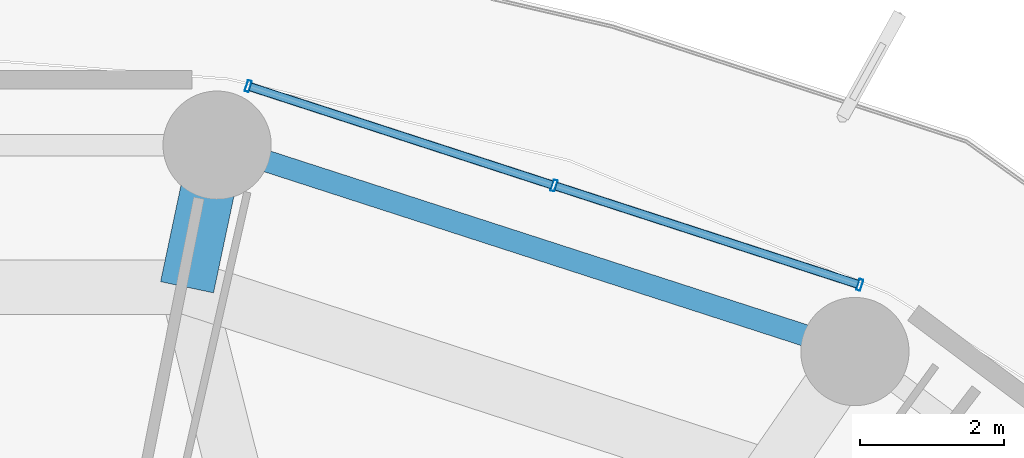
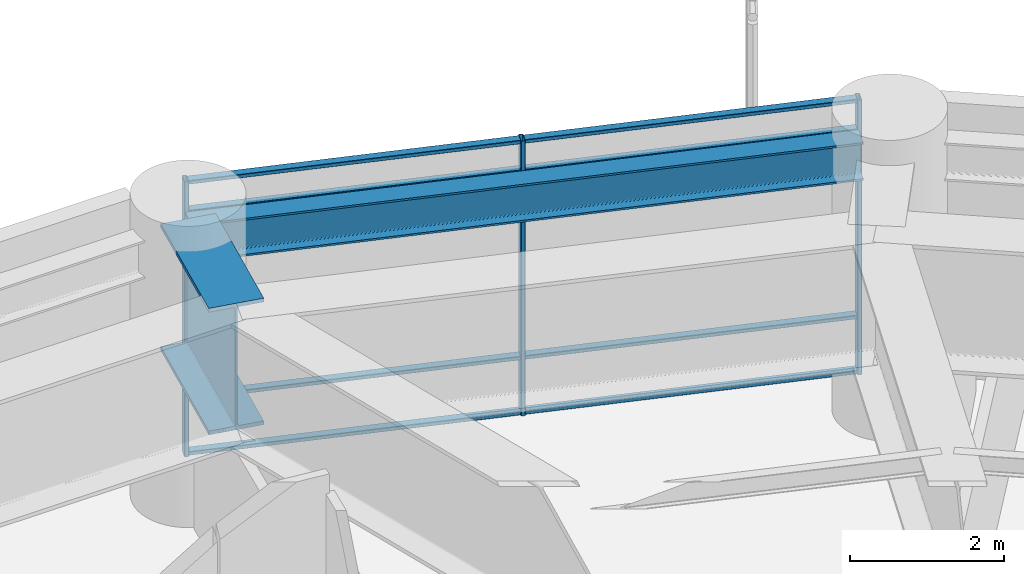
# One storey, part 19 of 31: 11 members, 2 beams, 1 element without a shape of its own.
"""IFC4 building model written with IfcOpenShell, lengths in metres."""

from ifc_helpers import new_model, si_unit, direction, frame, origin, origin_2d, place, context, subcontext, project, spatial, hollow_rectangle, i_section, extrude, material, layer, layer_set, material_profile, profile_set, type_object, element, aggregate, save


model = new_model("IFC4")

# Units and contexts
model_context = context("Model", 3, precision=1e-05, world=origin(), true_north=direction((0.0, 1.0)))
body_context = subcontext(model_context, "Body", "Model", "MODEL_VIEW")
ifc_project = project(units=[si_unit("LENGTHUNIT", "METRE"), si_unit("AREAUNIT", "SQUARE_METRE"), si_unit("VOLUMEUNIT", "CUBIC_METRE"), si_unit("PLANEANGLEUNIT", "RADIAN"), si_unit("MASSUNIT", "GRAM", prefix="KILO")], contexts=[model_context])

# Site, building, storey
site_placement = place(None, origin())
site = spatial("IfcSite", under=ifc_project, at=site_placement, CompositionType="ELEMENT")
building_placement = place(site_placement, origin())
building = spatial("IfcBuilding", under=site, at=building_placement, Name="Kelanora Arch Commons", CompositionType="ELEMENT")
storey_placement = place(building_placement, frame((0.0, 0.0, 67.5)))
storey = spatial("IfcBuildingStorey", under=building, at=storey_placement, Name="L17", CompositionType="ELEMENT", Elevation=67.5)

# Beams
ifc_material_1 = material(Name="Steel S355", Category="steel")
ifc_material_profile_1 = material_profile(ifc_material_1, i_section(OverallWidth=0.300048828125, OverallDepth=0.60009765625, WebThickness=0.015380859375, FlangeThickness=0.030029296875, FilletRadius=0.027099609375, at=origin_2d()), Name="HEB600")
ifc_profile_set_1 = profile_set([ifc_material_profile_1], Name="Steel S355")
beam_type_1 = type_object("IfcBeamType", Name="BM-SPN-Z1", PredefinedType="SPANDREL", material=ifc_profile_set_1)
beam_1_placement = place(storey_placement, frame((87.178466796875, 78.970947265625, 4.06005859375), z_axis=(-0.951414770924, 0.307912217469, 0.0), x_axis=(-0.307912217469, -0.951414770924, 0.0)))
element("IfcBeam", 1, at=beam_1_placement, inside=storey, type_object=beam_type_1, Name="Perimeter Spandrel Beam BS-06 L17", PredefinedType="SPANDREL", context=body_context, shape_type="SweptSolid", body=[
    extrude(i_section(OverallWidth=0.300048828125, OverallDepth=0.60009765625, WebThickness=0.015380859375, FlangeThickness=0.030029296875, FilletRadius=0.027099609375, at=origin_2d()), origin(), (0.0, 0.0, 1.0), 8.908935546875),
])
ifc_material_profile_2 = material_profile(ifc_material_1, i_section(OverallWidth=0.75, OverallDepth=2.0, WebThickness=0.034912109375, FlangeThickness=0.06005859375, FilletRadius=0.028076171875, at=origin_2d()), Name="PG2000x750")
ifc_profile_set_2 = profile_set([ifc_material_profile_2], Name="Steel S355")
beam_type_2 = type_object("IfcBeamType", Name="BM-XFER-SET", PredefinedType="USERDEFINED", material=ifc_profile_set_2)
beam_2_placement = place(storey_placement, frame((78.28564453125, 79.74462890625, 3.360107421875), z_axis=(0.207018863964, 0.978336951139, 0.0), x_axis=(-0.978336951139, 0.207018863964, 0.0)))
element("IfcBeam", 2, at=beam_2_placement, inside=storey, type_object=beam_type_2, Name="Radial Floor Girder BR-08 L17", ObjectType="TRANSFER_GIRDER", PredefinedType="USERDEFINED", context=body_context, shape_type="SweptSolid", body=[
    extrude(i_section(OverallWidth=0.75, OverallDepth=2.0, WebThickness=0.034912109375, FlangeThickness=0.06005859375, FilletRadius=0.028076171875, at=origin_2d()), origin(), (0.0, 0.0, 1.0), 2.01318359375),
])

# Curtain wall, members
ifc_material_2 = material(Name="Terracotta ceramic-fritted low-E glass and aluminium", Category="masonry")
ifc_layer = layer(ifc_material_2, 0.159912109375)
ifc_layer_set = layer_set([ifc_layer], Name="Terracotta ceramic-fritted low-E glass and aluminium")
curtain_wall_type = type_object("IfcCurtainWallType", Name="CW-SYS-01", PredefinedType="NOTDEFINED", material=ifc_layer_set)
curtain_wall_placement = place(storey_placement, origin())
curtain_wall = element("IfcCurtainWall", 3, at=curtain_wall_placement, inside=storey, type_object=curtain_wall_type, Name="Unitised Curtain Wall L17-B03", PredefinedType="NOTDEFINED")
ifc_material_3 = material(Name="Powder-coated aluminium terracotta", Category="masonry")
ifc_material_profile_3 = material_profile(ifc_material_3, hollow_rectangle(XDim=0.159912109375, YDim=0.06005859375, WallThickness=0.0048828125, InnerFilletRadius=0.0048828125, OuterFilletRadius=0.010009765625, at=origin_2d()), Name="CWM160x60")
ifc_profile_set_3 = profile_set([ifc_material_profile_3], Name="Powder-coated aluminium terracotta")
member_type_1 = type_object("IfcMemberType", Name="CWM-STD", PredefinedType="MULLION", material=ifc_profile_set_3)
member_1_placement = place(storey_placement, frame((87.607666015625, 79.778076171875, 0.0), z_axis=(0.0, 0.0, 1.0), x_axis=(-0.30905758454, -0.951043326793, 0.0)))
member_1 = element("IfcMember", 4, at=member_1_placement, type_object=member_type_1, Name="CW-01 mullion 1", PredefinedType="MULLION", context=body_context, shape_type="SweptSolid", body=[
    extrude(hollow_rectangle(XDim=0.159912109375, YDim=0.06005859375, WallThickness=0.0048828125, InnerFilletRadius=0.0048828125, OuterFilletRadius=0.010009765625, at=origin_2d()), origin(), (0.0, 0.0, 1.0), 4.344970703125),
])
member_2_placement = place(storey_placement, frame((83.37109375, 81.15478515625, 0.0), z_axis=(0.0, 0.0, 1.0), x_axis=(-0.30905758454, -0.951043326793, 0.0)))
member_2 = element("IfcMember", 5, at=member_2_placement, type_object=member_type_1, Name="CW-01 mullion 2", PredefinedType="MULLION", context=body_context, shape_type="SweptSolid", body=[
    extrude(hollow_rectangle(XDim=0.159912109375, YDim=0.06005859375, WallThickness=0.0048828125, InnerFilletRadius=0.0048828125, OuterFilletRadius=0.010009765625, at=origin_2d()), origin(), (0.0, 0.0, 1.0), 4.344970703125),
])
member_3_placement = place(storey_placement, frame((79.134521484375, 82.53173828125, 0.0), z_axis=(0.0, 0.0, 1.0), x_axis=(-0.30905758454, -0.951043326793, 0.0)))
member_3 = element("IfcMember", 6, at=member_3_placement, type_object=member_type_1, Name="CW-01 mullion 3", PredefinedType="MULLION", context=body_context, shape_type="SweptSolid", body=[
    extrude(hollow_rectangle(XDim=0.159912109375, YDim=0.06005859375, WallThickness=0.0048828125, InnerFilletRadius=0.0048828125, OuterFilletRadius=0.010009765625, at=origin_2d()), origin(), (0.0, 0.0, 1.0), 4.344970703125),
])
ifc_material_profile_4 = material_profile(ifc_material_3, hollow_rectangle(XDim=0.1201171875, YDim=0.06005859375, WallThickness=0.0048828125, InnerFilletRadius=0.0048828125, OuterFilletRadius=0.010009765625, at=origin_2d()), Name="CWT120x60")
ifc_profile_set_4 = profile_set([ifc_material_profile_4], Name="Powder-coated aluminium terracotta")
member_type_2 = type_object("IfcMemberType", Name="CWT-STD", PredefinedType="USERDEFINED", material=ifc_profile_set_4)
member_4_placement = place(storey_placement, frame((87.5791015625, 79.787353515625, 0.030029296875), z_axis=(-0.951045091182, 0.309052155047, 0.0), x_axis=(-0.309052155047, -0.951045091182, 0.0)))
member_4 = element("IfcMember", 7, at=member_4_placement, type_object=member_type_2, Name="CW-01 transom 1.1", ObjectType="TRANSOM", PredefinedType="USERDEFINED", context=body_context, shape_type="SweptSolid", body=[
    extrude(hollow_rectangle(XDim=0.1201171875, YDim=0.06005859375, WallThickness=0.0048828125, InnerFilletRadius=0.0048828125, OuterFilletRadius=0.010009765625, at=origin_2d()), origin(), (0.0, 0.0, 1.0), 4.39453125),
])
member_5_placement = place(storey_placement, frame((87.5791015625, 79.787353515625, 0.89990234375), z_axis=(-0.951045091182, 0.309052155047, 0.0), x_axis=(-0.309052155047, -0.951045091182, 0.0)))
member_5 = element("IfcMember", 8, at=member_5_placement, type_object=member_type_2, Name="CW-01 transom 1.2", ObjectType="TRANSOM", PredefinedType="USERDEFINED", context=body_context, shape_type="SweptSolid", body=[
    extrude(hollow_rectangle(XDim=0.1201171875, YDim=0.06005859375, WallThickness=0.0048828125, InnerFilletRadius=0.0048828125, OuterFilletRadius=0.010009765625, at=origin_2d()), origin(), (0.0, 0.0, 1.0), 4.39453125),
])
member_6_placement = place(storey_placement, frame((87.5791015625, 79.787353515625, 3.844970703125), z_axis=(-0.951045091182, 0.309052155047, 0.0), x_axis=(-0.309052155047, -0.951045091182, 0.0)))
member_6 = element("IfcMember", 9, at=member_6_placement, type_object=member_type_2, Name="CW-01 transom 1.3", ObjectType="TRANSOM", PredefinedType="USERDEFINED", context=body_context, shape_type="SweptSolid", body=[
    extrude(hollow_rectangle(XDim=0.1201171875, YDim=0.06005859375, WallThickness=0.0048828125, InnerFilletRadius=0.0048828125, OuterFilletRadius=0.010009765625, at=origin_2d()), origin(), (0.0, 0.0, 1.0), 4.39453125),
])
member_7_placement = place(storey_placement, frame((87.5791015625, 79.787353515625, 4.31494140625), z_axis=(-0.951045091182, 0.309052155047, 0.0), x_axis=(-0.309052155047, -0.951045091182, 0.0)))
member_7 = element("IfcMember", 10, at=member_7_placement, type_object=member_type_2, Name="CW-01 transom 1.4", ObjectType="TRANSOM", PredefinedType="USERDEFINED", context=body_context, shape_type="SweptSolid", body=[
    extrude(hollow_rectangle(XDim=0.1201171875, YDim=0.06005859375, WallThickness=0.0048828125, InnerFilletRadius=0.0048828125, OuterFilletRadius=0.010009765625, at=origin_2d()), origin(), (0.0, 0.0, 1.0), 4.39453125),
])
member_8_placement = place(storey_placement, frame((83.342529296875, 81.1640625, 0.030029296875), z_axis=(-0.951028761285, 0.309102402464, 0.0), x_axis=(-0.309102402464, -0.951028761285, 0.0)))
member_8 = element("IfcMember", 11, at=member_8_placement, type_object=member_type_2, Name="CW-01 transom 2.1", ObjectType="TRANSOM", PredefinedType="USERDEFINED", context=body_context, shape_type="SweptSolid", body=[
    extrude(hollow_rectangle(XDim=0.1201171875, YDim=0.06005859375, WallThickness=0.0048828125, InnerFilletRadius=0.0048828125, OuterFilletRadius=0.010009765625, at=origin_2d()), origin(), (0.0, 0.0, 1.0), 4.394775390625),
])
member_9_placement = place(storey_placement, frame((83.342529296875, 81.1640625, 0.89990234375), z_axis=(-0.951028761285, 0.309102402464, 0.0), x_axis=(-0.309102402464, -0.951028761285, 0.0)))
member_9 = element("IfcMember", 12, at=member_9_placement, type_object=member_type_2, Name="CW-01 transom 2.2", ObjectType="TRANSOM", PredefinedType="USERDEFINED", context=body_context, shape_type="SweptSolid", body=[
    extrude(hollow_rectangle(XDim=0.1201171875, YDim=0.06005859375, WallThickness=0.0048828125, InnerFilletRadius=0.0048828125, OuterFilletRadius=0.010009765625, at=origin_2d()), origin(), (0.0, 0.0, 1.0), 4.394775390625),
])
member_10_placement = place(storey_placement, frame((83.342529296875, 81.1640625, 3.844970703125), z_axis=(-0.951028761285, 0.309102402464, 0.0), x_axis=(-0.309102402464, -0.951028761285, 0.0)))
member_10 = element("IfcMember", 13, at=member_10_placement, type_object=member_type_2, Name="CW-01 transom 2.3", ObjectType="TRANSOM", PredefinedType="USERDEFINED", context=body_context, shape_type="SweptSolid", body=[
    extrude(hollow_rectangle(XDim=0.1201171875, YDim=0.06005859375, WallThickness=0.0048828125, InnerFilletRadius=0.0048828125, OuterFilletRadius=0.010009765625, at=origin_2d()), origin(), (0.0, 0.0, 1.0), 4.394775390625),
])
member_11_placement = place(storey_placement, frame((83.342529296875, 81.1640625, 4.31494140625), z_axis=(-0.951028761285, 0.309102402464, 0.0), x_axis=(-0.309102402464, -0.951028761285, 0.0)))
member_11 = element("IfcMember", 14, at=member_11_placement, type_object=member_type_2, Name="CW-01 transom 2.4", ObjectType="TRANSOM", PredefinedType="USERDEFINED", context=body_context, shape_type="SweptSolid", body=[
    extrude(hollow_rectangle(XDim=0.1201171875, YDim=0.06005859375, WallThickness=0.0048828125, InnerFilletRadius=0.0048828125, OuterFilletRadius=0.010009765625, at=origin_2d()), origin(), (0.0, 0.0, 1.0), 4.394775390625),
])
aggregate(curtain_wall, [member_1, member_2, member_3, member_4, member_5, member_6, member_7, member_8, member_9, member_10, member_11])

save(model, "model.ifc")
